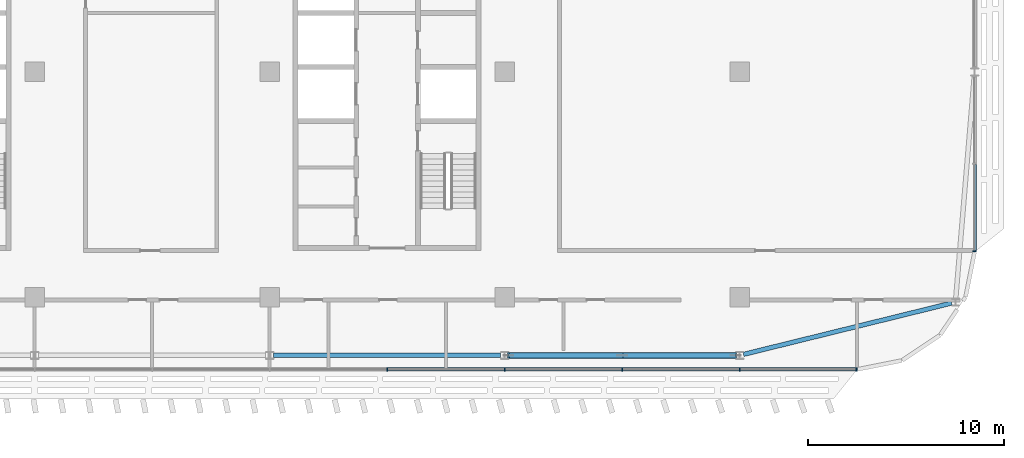
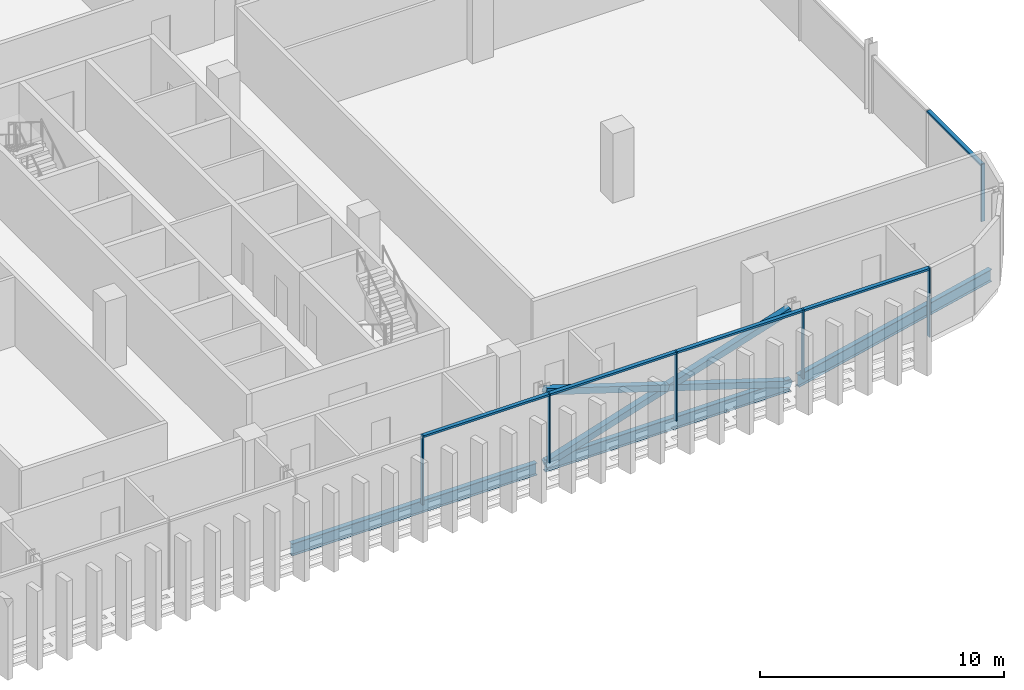
# One storey, part 12 of 34: 14 members, 3 beams, 2 elements without a shape of their own.
"""IFC4 building model written with IfcOpenShell, lengths in metres."""

from ifc_helpers import new_model, si_unit, direction, frame, origin, origin_2d, place, context, subcontext, project, spatial, rectangle, hollow_rectangle, i_section, extrude, material, material_profile, profile_set, type_object, element, aggregate, save


model = new_model("IFC4")

# Units and contexts
model_context = context("Model", 3, precision=1e-05, world=origin(), true_north=direction((0.0, 1.0)))
body_context = subcontext(model_context, "Body", "Model", "MODEL_VIEW")
ifc_project = project(units=[si_unit("LENGTHUNIT", "METRE"), si_unit("AREAUNIT", "SQUARE_METRE"), si_unit("VOLUMEUNIT", "CUBIC_METRE"), si_unit("PLANEANGLEUNIT", "RADIAN"), si_unit("MASSUNIT", "GRAM", prefix="KILO")], contexts=[model_context])

# Site, building, storey
site_placement = place(None, origin())
site = spatial("IfcSite", under=ifc_project, at=site_placement, CompositionType="ELEMENT")
building_placement = place(site_placement, origin())
building = spatial("IfcBuilding", under=site, at=building_placement, Name="Mahtab Terrace Research Tower", CompositionType="ELEMENT")
storey_placement = place(building_placement, frame((0.0, 0.0, 247.60009765625)))
storey = spatial("IfcBuildingStorey", under=building, at=storey_placement, Name="L60", CompositionType="ELEMENT", Elevation=247.60009765625)

# Members
ifc_material_1 = material(Name="Steel ASTM A500 Gr C", Category="steel")
ifc_material_profile_1 = material_profile(ifc_material_1, hollow_rectangle(XDim=0.3046875, YDim=0.3046875, WallThickness=0.015869140625, at=origin_2d()), Name="HSS12X12X5/8")
ifc_profile_set_1 = profile_set([ifc_material_profile_1], Name="Steel ASTM A500 Gr C")
member_type_1 = type_object("IfcMemberType", Name="HSS 12x12x5/8 brace XB121258", PredefinedType="BRACE", material=ifc_profile_set_1)
member_1_placement = place(storey_placement, frame((30.199462890625, -14.472900390625, -0.58056640625), z_axis=(0.953338568311, 0.0, 0.301903252998), x_axis=(0.0, 1.0, 0.0)))
element("IfcMember", 1, at=member_1_placement, inside=storey, type_object=member_type_1, Name="Exoskeleton brace L60 18 a", PredefinedType="BRACE", context=body_context, shape_type="SweptSolid", body=[
    extrude(hollow_rectangle(XDim=0.3046875, YDim=0.3046875, WallThickness=0.015869140625, at=origin_2d()), origin(), (0.0, 0.0, 1.0), 12.1689453125),
])
for number, where, z_axis, x_axis, name in (
    (2, (41.800537109375, -14.472900390625, -0.58056640625), (-0.953338568311, 0.0, 0.301903252998), (0.0, -1.0, 0.0), "Exoskeleton brace L60 18 b1"),
    (3, (36.0, -14.472900390625, 1.25634765625), (-0.953338568311, 0.0, 0.301903252998), (0.0, -1.0, 0.0), "Exoskeleton brace L60 18 b2"),
):
    element("IfcMember", number, at=place(storey_placement, frame(where, z_axis=z_axis, x_axis=x_axis)), inside=storey, type_object=member_type_1, Name=name, PredefinedType="BRACE", context=body_context, shape_type="SweptSolid", body=[
        extrude(hollow_rectangle(XDim=0.3046875, YDim=0.3046875, WallThickness=0.015869140625, at=origin_2d()), origin(), (0.0, 0.0, 1.0), 6.08447265625),
    ])

# Curtain wall, members
ifc_material_2 = material(Name="Office ribbon curtain wall")
curtain_wall_type = type_object("IfcCurtainWallType", Name="Office ribbon curtain wall", PredefinedType="NOTDEFINED", material=ifc_material_2)
curtain_wall_1_placement = place(storey_placement, origin())
curtain_wall_1 = element("IfcCurtainWall", 4, at=curtain_wall_1_placement, inside=storey, type_object=curtain_wall_type, Name="EN.L60.13.15", PredefinedType="NOTDEFINED")
ifc_material_3 = material(Name="Natural anodised aluminium", Category="aluminium")
ifc_material_profile_2 = material_profile(ifc_material_3, rectangle(XDim=0.179931640625, YDim=0.06005859375, at=origin_2d()), Name="MULLION 60x180")
ifc_profile_set_2 = profile_set([ifc_material_profile_2], Name="Natural anodised aluminium")
member_type_2 = type_object("IfcMemberType", Name="Office ribbon curtain wall mullion", PredefinedType="MULLION", material=ifc_profile_set_2)
member_2_placement = place(storey_placement, frame((24.0, -15.195068359375, 0.0), z_axis=(0.0, 0.0, 1.0), x_axis=(0.0, 1.0, 0.0)))
member_2 = element("IfcMember", 5, at=member_2_placement, type_object=member_type_2, Name="CWO-7 mullion 11", PredefinedType="MULLION", context=body_context, shape_type="SweptSolid", body=[
    extrude(rectangle(XDim=0.179931640625, YDim=0.06005859375, at=origin_2d()), origin(), (0.0, 0.0, 1.0), 3.4599609375),
])
member_3_placement = place(storey_placement, frame((30.0, -15.195068359375, 0.0), z_axis=(0.0, 0.0, 1.0), x_axis=(0.0, 1.0, 0.0)))
member_3 = element("IfcMember", 6, at=member_3_placement, type_object=member_type_2, Name="CWO-7 mullion 12", PredefinedType="MULLION", context=body_context, shape_type="SweptSolid", body=[
    extrude(rectangle(XDim=0.179931640625, YDim=0.06005859375, at=origin_2d()), origin(), (0.0, 0.0, 1.0), 3.4599609375),
])
member_4_placement = place(storey_placement, frame((36.0, -15.195068359375, 0.0), z_axis=(0.0, 0.0, 1.0), x_axis=(0.0, 1.0, 0.0)))
member_4 = element("IfcMember", 7, at=member_4_placement, type_object=member_type_2, Name="CWO-7 mullion 13", PredefinedType="MULLION", context=body_context, shape_type="SweptSolid", body=[
    extrude(rectangle(XDim=0.179931640625, YDim=0.06005859375, at=origin_2d()), origin(), (0.0, 0.0, 1.0), 3.4599609375),
])
member_5_placement = place(storey_placement, frame((42.0, -15.195068359375, 0.0), z_axis=(0.0, 0.0, 1.0), x_axis=(0.0, 1.0, 0.0)))
member_5 = element("IfcMember", 8, at=member_5_placement, type_object=member_type_2, Name="CWO-7 mullion 14", PredefinedType="MULLION", context=body_context, shape_type="SweptSolid", body=[
    extrude(rectangle(XDim=0.179931640625, YDim=0.06005859375, at=origin_2d()), origin(), (0.0, 0.0, 1.0), 3.4599609375),
])
member_6_placement = place(storey_placement, frame((47.969970703125, -15.195068359375, 0.0), z_axis=(0.0, 0.0, 1.0), x_axis=(0.0, 1.0, 0.0)))
member_6 = element("IfcMember", 9, at=member_6_placement, type_object=member_type_2, Name="CWO-7 mullion 15", PredefinedType="MULLION", context=body_context, shape_type="SweptSolid", body=[
    extrude(rectangle(XDim=0.179931640625, YDim=0.06005859375, at=origin_2d()), origin(), (0.0, 0.0, 1.0), 3.4599609375),
])

# Curtain wall, member
curtain_wall_2_placement = place(storey_placement, origin())
curtain_wall_2 = element("IfcCurtainWall", 10, at=curtain_wall_2_placement, inside=storey, type_object=curtain_wall_type, Name="EN.L60.18.21", PredefinedType="NOTDEFINED")
member_7_placement = place(storey_placement, frame((54.0, -9.1650390625, 0.0), z_axis=(0.0, 0.0, 1.0), x_axis=(-1.0, 0.0, 0.0)))
member_7 = element("IfcMember", 11, at=member_7_placement, type_object=member_type_2, Name="CWO-7 mullion 1", PredefinedType="MULLION", context=body_context, shape_type="SweptSolid", body=[
    extrude(rectangle(XDim=0.179931640625, YDim=0.06005859375, at=origin_2d()), origin(), (0.0, 0.0, 1.0), 2.852783203125),
])

# Member
ifc_material_profile_3 = material_profile(ifc_material_3, rectangle(XDim=0.179931640625, YDim=0.10009765625, at=origin_2d()), Name="TRANSOM 100x180")
ifc_profile_set_3 = profile_set([ifc_material_profile_3], Name="Natural anodised aluminium")
member_type_3 = type_object("IfcMemberType", Name="Office ribbon curtain wall transom", PredefinedType="USERDEFINED", material=ifc_profile_set_3)
member_8_placement = place(storey_placement, frame((24.030029296875, -15.195068359375, 3.409912109375), z_axis=(1.0, 0.0, 0.0), x_axis=(0.0, 1.0, 0.0)))
member_8 = element("IfcMember", 12, at=member_8_placement, type_object=member_type_3, Name="CWO-7 transom 11", ObjectType="TRANSOM", PredefinedType="USERDEFINED", context=body_context, shape_type="SweptSolid", body=[
    extrude(rectangle(XDim=0.179931640625, YDim=0.10009765625, at=origin_2d()), origin(), (0.0, 0.0, 1.0), 5.93994140625),
])

member_9_placement = place(storey_placement, frame((30.030029296875, -15.195068359375, 3.409912109375), z_axis=(1.0, 0.0, 0.0), x_axis=(0.0, 1.0, 0.0)))
member_9 = element("IfcMember", 13, at=member_9_placement, type_object=member_type_3, Name="CWO-7 transom 12", ObjectType="TRANSOM", PredefinedType="USERDEFINED", context=body_context, shape_type="SweptSolid", body=[
    extrude(rectangle(XDim=0.179931640625, YDim=0.10009765625, at=origin_2d()), origin(), (0.0, 0.0, 1.0), 5.93994140625),
])

member_10_placement = place(storey_placement, frame((36.030029296875, -15.195068359375, 3.409912109375), z_axis=(1.0, 0.0, 0.0), x_axis=(0.0, 1.0, 0.0)))
member_10 = element("IfcMember", 14, at=member_10_placement, type_object=member_type_3, Name="CWO-7 transom 13", ObjectType="TRANSOM", PredefinedType="USERDEFINED", context=body_context, shape_type="SweptSolid", body=[
    extrude(rectangle(XDim=0.179931640625, YDim=0.10009765625, at=origin_2d()), origin(), (0.0, 0.0, 1.0), 5.93994140625),
])

member_11_placement = place(storey_placement, frame((42.030029296875, -15.195068359375, 3.409912109375), z_axis=(1.0, 0.0, 0.0), x_axis=(0.0, 1.0, 0.0)))
member_11 = element("IfcMember", 15, at=member_11_placement, type_object=member_type_3, Name="CWO-7 transom 14", ObjectType="TRANSOM", PredefinedType="USERDEFINED", context=body_context, shape_type="SweptSolid", body=[
    extrude(rectangle(XDim=0.179931640625, YDim=0.10009765625, at=origin_2d()), origin(), (0.0, 0.0, 1.0), 5.909912109375),
])

aggregate(curtain_wall_1, [member_2, member_3, member_4, member_5, member_6, member_8, member_9, member_10, member_11])

member_12_placement = place(storey_placement, frame((54.0, -9.135009765625, 2.802734375), z_axis=(0.0, 1.0, 0.0), x_axis=(-1.0, 0.0, 0.0)))
member_12 = element("IfcMember", 16, at=member_12_placement, type_object=member_type_3, Name="CWO-7 transom 1", ObjectType="TRANSOM", PredefinedType="USERDEFINED", context=body_context, shape_type="SweptSolid", body=[
    extrude(rectangle(XDim=0.179931640625, YDim=0.10009765625, at=origin_2d()), origin(), (0.0, 0.0, 1.0), 4.410888671875),
])

aggregate(curtain_wall_2, [member_7, member_12])

# Beams
ifc_material_4 = material(Name="Steel ASTM A992 Gr 50", Category="steel")
ifc_material_profile_4 = material_profile(ifc_material_4, i_section(OverallWidth=0.228271484375, OverallDepth=0.607177734375, WebThickness=0.01123046875, FlangeThickness=0.017333984375, at=origin_2d()), Name="W24X76")
ifc_profile_set_4 = profile_set([ifc_material_profile_4], Name="Steel ASTM A992 Gr 50")
beam_type = type_object("IfcBeamType", Name="W24x76 beam BS2476", PredefinedType="BEAM", material=ifc_profile_set_4)
for number, where, z_axis, x_axis, name in (
    (17, (18.199462890625, -14.472900390625, -0.6435546875), (1.0, 0.0, 0.0), (0.0, 1.0, 0.0), "Spandrel beam L60 17"),
    (18, (30.199462890625, -14.472900390625, -0.6435546875), (1.0, 0.0, 0.0), (0.0, 1.0, 0.0), "Spandrel beam L60 18"),
):
    element("IfcBeam", number, at=place(storey_placement, frame(where, z_axis=z_axis, x_axis=x_axis)), inside=storey, type_object=beam_type, Name=name, PredefinedType="BEAM", context=body_context, shape_type="SweptSolid", body=[
        extrude(i_section(OverallWidth=0.228271484375, OverallDepth=0.607177734375, WebThickness=0.01123046875, FlangeThickness=0.017333984375, at=origin_2d()), origin(), (0.0, 0.0, 1.0), 11.60107421875),
    ])
beam_placement = place(storey_placement, frame((42.199462890625, -14.423828125, -0.6435546875), z_axis=(0.970971673225, 0.239194502014, 0.0), x_axis=(-0.239194502014, 0.970971673225, 0.0)))
element("IfcBeam", 19, at=beam_placement, inside=storey, type_object=beam_type, Name="Spandrel beam L60 19", PredefinedType="BEAM", context=body_context, shape_type="SweptSolid", body=[
    extrude(i_section(OverallWidth=0.228271484375, OverallDepth=0.607177734375, WebThickness=0.01123046875, FlangeThickness=0.017333984375, at=origin_2d()), origin(), (0.0, 0.0, 1.0), 10.939697265625),
])

save(model, "model.ifc")
